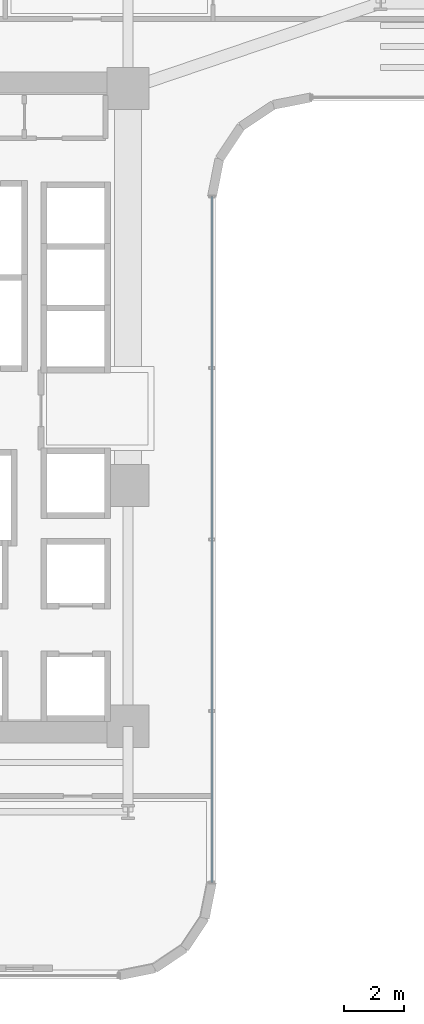
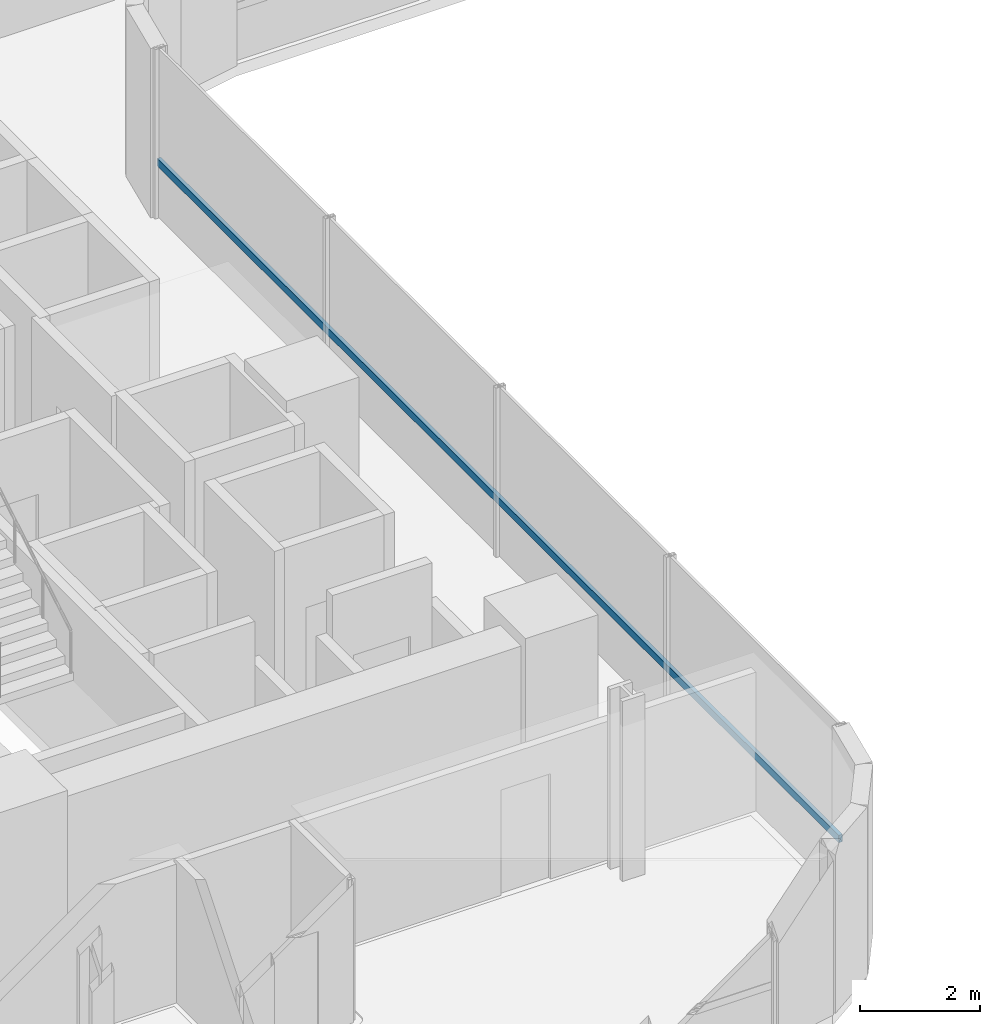
# One storey, part 7 of 40: 1 member, 1 element without a shape of its own.
"""IFC4 building model written with IfcOpenShell, lengths in metres."""

from ifc_helpers import new_model, si_unit, direction, frame, origin, origin_2d, place, context, subcontext, project, spatial, hollow_rectangle, extrude, source, transform, mapped, material, material_profile, profile_set, type_object, element, aggregate, save


model = new_model("IFC4")

# Units and contexts
model_context = context("Model", 3, precision=1e-05, world=origin(), true_north=direction((0.0, 1.0)))
body_context = subcontext(model_context, "Body", "Model", "MODEL_VIEW")
ifc_project = project(units=[si_unit("LENGTHUNIT", "METRE"), si_unit("AREAUNIT", "SQUARE_METRE"), si_unit("VOLUMEUNIT", "CUBIC_METRE"), si_unit("PLANEANGLEUNIT", "RADIAN"), si_unit("MASSUNIT", "GRAM", prefix="KILO")], contexts=[model_context])

# Site, building, storey
site_placement = place(None, origin())
site = spatial("IfcSite", under=ifc_project, at=site_placement, CompositionType="ELEMENT")
building_placement = place(site_placement, origin())
building = spatial("IfcBuilding", under=site, at=building_placement, Name="Valdorenza Pilgrim Sanctuary Tower", CompositionType="ELEMENT")
storey_placement = place(building_placement, frame((0.0, 0.0, 44.5)))
storey = spatial("IfcBuildingStorey", under=building, at=storey_placement, Name="L10", CompositionType="ELEMENT", Elevation=44.5)

# Curtain wall, member
ifc_material_1 = material(Name="Curtain-wall IGU glazing", Category="glass")
curtain_wall_type = type_object("IfcCurtainWallType", Name="CW-SYS-02", PredefinedType="NOTDEFINED", material=ifc_material_1)
curtain_wall_placement = place(storey_placement, origin())
curtain_wall = element("IfcCurtainWall", 1, at=curtain_wall_placement, inside=storey, type_object=curtain_wall_type, Name="L10 Curtain Wall CW-L10-1-41", PredefinedType="NOTDEFINED")
ifc_material_2 = material(Name="Anodised aluminium AW-6060", Category="aluminium")
ifc_material_profile = material_profile(ifc_material_2, hollow_rectangle(XDim=0.074951171875, YDim=0.14990234375, WallThickness=0.00390625, at=origin_2d()), Name="ALU-T 150x75x4")
ifc_profile_set = profile_set([ifc_material_profile], Name="Anodised aluminium AW-6060")
member_type = type_object("IfcMemberType", Name="CW-TRN-02", PredefinedType="USERDEFINED", material=ifc_profile_set)
shared_shape = source(origin(), body_context, "Body", "SweptSolid", [
    extrude(hollow_rectangle(XDim=0.074951171875, YDim=0.14990234375, WallThickness=0.00390625, at=origin_2d()), origin(), (0.0, 0.0, 1.0), 22.800048828125),
])
member_placement = place(storey_placement, frame((-9.610107421875, 7.0107421875, 1.1201171875), z_axis=(0.0, -1.0, 0.0), x_axis=(1.0, 0.0, 0.0)))
member = element("IfcMember", 2, at=member_placement, type_object=member_type, Name="CW-L10-1-41 Transom 1", ObjectType="TRANSOM", PredefinedType="USERDEFINED", context=body_context, shape_type="MappedRepresentation", body=[
    mapped(shared_shape, transform((0.0, 0.0, 0.0), x_axis=(1.0, 0.0, 0.0), y_axis=(0.0, 1.0, 0.0), z_axis=(0.0, 0.0, 1.0), scale=1.0)),
])
aggregate(curtain_wall, [member])

save(model, "model.ifc")
